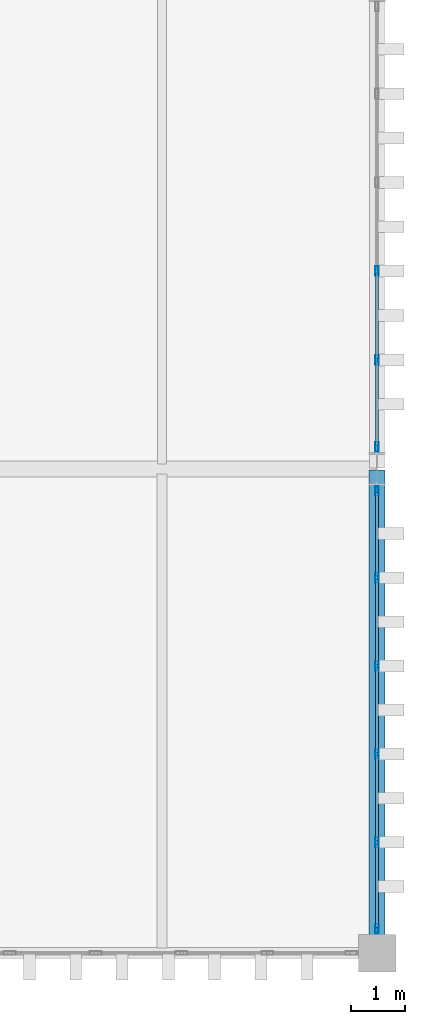
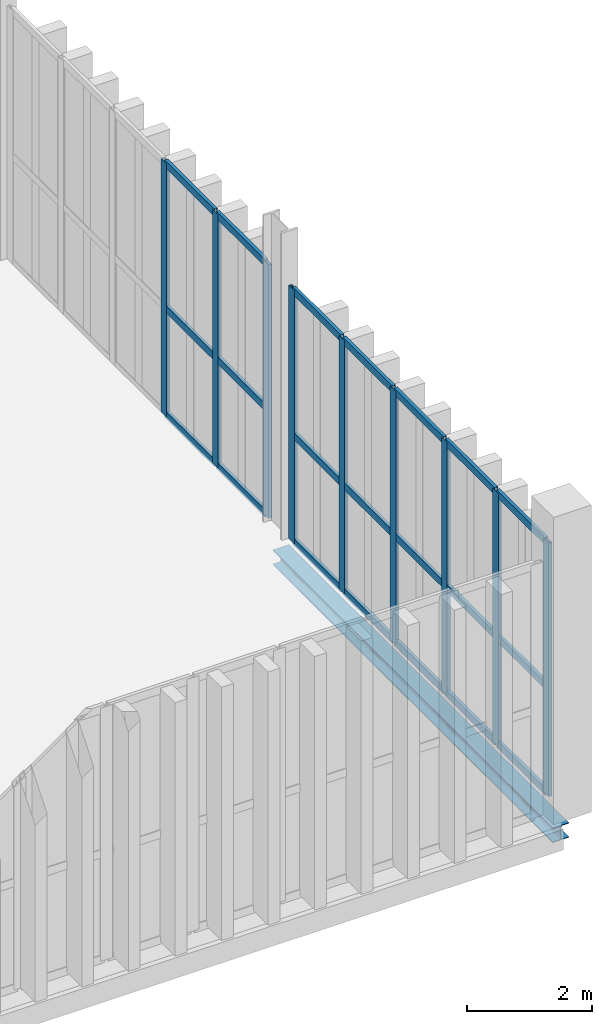
# One storey, part 101 of 211: 30 members, 1 beam, 2 elements without a shape of their own.
"""IFC4 building model written with IfcOpenShell, lengths in metres."""

from ifc_helpers import new_model, si_unit, direction, frame, origin, origin_2d, place, context, subcontext, project, spatial, hollow_rectangle, i_section, extrude, material, layer, layer_set, material_profile, profile_set, type_object, element, aggregate, save


model = new_model("IFC4")

# Units and contexts
model_context = context("Model", 3, precision=1e-05, world=origin(), true_north=direction((0.0, 1.0)))
body_context = subcontext(model_context, "Body", "Model", "MODEL_VIEW")
ifc_project = project(units=[si_unit("LENGTHUNIT", "METRE"), si_unit("AREAUNIT", "SQUARE_METRE"), si_unit("VOLUMEUNIT", "CUBIC_METRE"), si_unit("PLANEANGLEUNIT", "RADIAN"), si_unit("MASSUNIT", "GRAM", prefix="KILO")], contexts=[model_context])

# Site, building, storey
site_placement = place(None, origin())
site = spatial("IfcSite", under=ifc_project, at=site_placement, CompositionType="ELEMENT")
building_placement = place(site_placement, origin())
building = spatial("IfcBuilding", under=site, at=building_placement, Name="Barlavento Convention Centre", CompositionType="ELEMENT")
storey_placement = place(building_placement, frame((0.0, 0.0, 6.0)))
storey = spatial("IfcBuildingStorey", under=building, at=storey_placement, Name="L01", CompositionType="ELEMENT", Elevation=6.0)

# Curtain wall, members
ifc_material_1 = material(Name="Powder-coated aluminium and Low-E glass", Category="aluminium")
ifc_layer = layer(ifc_material_1, 0.195068359375)
ifc_layer_set = layer_set([ifc_layer], Name="ARC-CW-FOY-L01")
curtain_wall_type = type_object("IfcCurtainWallType", Name="ARC-CW-FOY-L01", PredefinedType="NOTDEFINED", material=ifc_layer_set)
curtain_wall_1_placement = place(storey_placement, origin())
curtain_wall_1 = element("IfcCurtainWall", 1, at=curtain_wall_1_placement, inside=storey, type_object=curtain_wall_type, Name="L01 unitised curtain wall CW03", PredefinedType="NOTDEFINED")
ifc_material_2 = material(Name="Powder-coated aluminium", Category="aluminium")
ifc_material_profile_1 = material_profile(ifc_material_2, hollow_rectangle(XDim=0.06005859375, YDim=0.179931640625, WallThickness=0.0048828125, at=origin_2d()), Name="AL-MULL 60x180x5")
ifc_profile_set_1 = profile_set([ifc_material_profile_1], Name="Powder-coated aluminium")
member_type_1 = type_object("IfcMemberType", Name="ARC-CWM-60X180", PredefinedType="MULLION", material=ifc_profile_set_1)
member_1_placement = place(storey_placement, frame((192.0, 0.449951171875, 0.0), z_axis=(0.0, 0.0, 1.0), x_axis=(-1.0, 0.0, 0.0)))
member_1 = element("IfcMember", 2, at=member_1_placement, type_object=member_type_1, Name="CW03 mullion 1", PredefinedType="MULLION", context=body_context, shape_type="SweptSolid", body=[
    extrude(hollow_rectangle(XDim=0.06005859375, YDim=0.179931640625, WallThickness=0.0048828125, at=origin_2d()), origin(), (0.0, 0.0, 1.0), 4.949951171875),
])
member_2_placement = place(storey_placement, frame((192.0, 2.06005859375, 0.0), z_axis=(0.0, 0.0, 1.0), x_axis=(-1.0, 0.0, 0.0)))
member_2 = element("IfcMember", 3, at=member_2_placement, type_object=member_type_1, Name="CW03 mullion 2", PredefinedType="MULLION", context=body_context, shape_type="SweptSolid", body=[
    extrude(hollow_rectangle(XDim=0.06005859375, YDim=0.179931640625, WallThickness=0.0048828125, at=origin_2d()), origin(), (0.0, 0.0, 1.0), 4.949951171875),
])
member_3_placement = place(storey_placement, frame((192.0, 3.699951171875, 0.0), z_axis=(0.0, 0.0, 1.0), x_axis=(-1.0, 0.0, 0.0)))
member_3 = element("IfcMember", 4, at=member_3_placement, type_object=member_type_1, Name="CW03 mullion 3", PredefinedType="MULLION", context=body_context, shape_type="SweptSolid", body=[
    extrude(hollow_rectangle(XDim=0.06005859375, YDim=0.179931640625, WallThickness=0.0048828125, at=origin_2d()), origin(), (0.0, 0.0, 1.0), 4.949951171875),
])
member_4_placement = place(storey_placement, frame((192.0, 5.340087890625, 0.0), z_axis=(0.0, 0.0, 1.0), x_axis=(-1.0, 0.0, 0.0)))
member_4 = element("IfcMember", 5, at=member_4_placement, type_object=member_type_1, Name="CW03 mullion 4", PredefinedType="MULLION", context=body_context, shape_type="SweptSolid", body=[
    extrude(hollow_rectangle(XDim=0.06005859375, YDim=0.179931640625, WallThickness=0.0048828125, at=origin_2d()), origin(), (0.0, 0.0, 1.0), 4.949951171875),
])
member_5_placement = place(storey_placement, frame((192.0, 6.97998046875, 0.0), z_axis=(0.0, 0.0, 1.0), x_axis=(-1.0, 0.0, 0.0)))
member_5 = element("IfcMember", 6, at=member_5_placement, type_object=member_type_1, Name="CW03 mullion 5", PredefinedType="MULLION", context=body_context, shape_type="SweptSolid", body=[
    extrude(hollow_rectangle(XDim=0.06005859375, YDim=0.179931640625, WallThickness=0.0048828125, at=origin_2d()), origin(), (0.0, 0.0, 1.0), 4.949951171875),
])
member_6_placement = place(storey_placement, frame((192.0, 8.590087890625, 0.0), z_axis=(0.0, 0.0, 1.0), x_axis=(-1.0, 0.0, 0.0)))
member_6 = element("IfcMember", 7, at=member_6_placement, type_object=member_type_1, Name="CW03 mullion 6", PredefinedType="MULLION", context=body_context, shape_type="SweptSolid", body=[
    extrude(hollow_rectangle(XDim=0.06005859375, YDim=0.179931640625, WallThickness=0.0048828125, at=origin_2d()), origin(), (0.0, 0.0, 1.0), 4.949951171875),
])

curtain_wall_2_placement = place(storey_placement, origin())
curtain_wall_2 = element("IfcCurtainWall", 8, at=curtain_wall_2_placement, inside=storey, type_object=curtain_wall_type, Name="L01 unitised curtain wall CW03", PredefinedType="NOTDEFINED")
member_7_placement = place(storey_placement, frame((192.0, 9.409912109375, 0.0), z_axis=(0.0, 0.0, 1.0), x_axis=(-1.0, 0.0, 0.0)))
member_7 = element("IfcMember", 9, at=member_7_placement, type_object=member_type_1, Name="CW03 mullion 1", PredefinedType="MULLION", context=body_context, shape_type="SweptSolid", body=[
    extrude(hollow_rectangle(XDim=0.06005859375, YDim=0.179931640625, WallThickness=0.0048828125, at=origin_2d()), origin(), (0.0, 0.0, 1.0), 4.949951171875),
])
member_8_placement = place(storey_placement, frame((192.0, 11.030029296875, 0.0), z_axis=(0.0, 0.0, 1.0), x_axis=(-1.0, 0.0, 0.0)))
member_8 = element("IfcMember", 10, at=member_8_placement, type_object=member_type_1, Name="CW03 mullion 2", PredefinedType="MULLION", context=body_context, shape_type="SweptSolid", body=[
    extrude(hollow_rectangle(XDim=0.06005859375, YDim=0.179931640625, WallThickness=0.0048828125, at=origin_2d()), origin(), (0.0, 0.0, 1.0), 4.949951171875),
])
member_9_placement = place(storey_placement, frame((192.0, 12.679931640625, 0.0), z_axis=(0.0, 0.0, 1.0), x_axis=(-1.0, 0.0, 0.0)))
member_9 = element("IfcMember", 11, at=member_9_placement, type_object=member_type_1, Name="CW03 mullion 3", PredefinedType="MULLION", context=body_context, shape_type="SweptSolid", body=[
    extrude(hollow_rectangle(XDim=0.06005859375, YDim=0.179931640625, WallThickness=0.0048828125, at=origin_2d()), origin(), (0.0, 0.0, 1.0), 4.949951171875),
])

# Member
ifc_material_profile_2 = material_profile(ifc_material_2, hollow_rectangle(XDim=0.06005859375, YDim=0.139892578125, WallThickness=0.00390625, at=origin_2d()), Name="AL-TRAN 60x140x4")
ifc_profile_set_2 = profile_set([ifc_material_profile_2], Name="Powder-coated aluminium")
member_type_2 = type_object("IfcMemberType", Name="ARC-CWT-60X140", PredefinedType="USERDEFINED", material=ifc_profile_set_2)
member_10_placement = place(storey_placement, frame((192.0, 0.47998046875, 0.030029296875), z_axis=(0.0, 1.0, 0.0), x_axis=(-1.0, 0.0, 0.0)))
member_10 = element("IfcMember", 12, at=member_10_placement, type_object=member_type_2, Name="CW03 transom 1.1", ObjectType="TRANSOM", PredefinedType="USERDEFINED", context=body_context, shape_type="SweptSolid", body=[
    extrude(hollow_rectangle(XDim=0.06005859375, YDim=0.139892578125, WallThickness=0.00390625, at=origin_2d()), origin(), (0.0, 0.0, 1.0), 1.550048828125),
])

member_11_placement = place(storey_placement, frame((192.0, 0.47998046875, 2.10009765625), z_axis=(0.0, 1.0, 0.0), x_axis=(-1.0, 0.0, 0.0)))
member_11 = element("IfcMember", 13, at=member_11_placement, type_object=member_type_2, Name="CW03 transom 1.2", ObjectType="TRANSOM", PredefinedType="USERDEFINED", context=body_context, shape_type="SweptSolid", body=[
    extrude(hollow_rectangle(XDim=0.06005859375, YDim=0.139892578125, WallThickness=0.00390625, at=origin_2d()), origin(), (0.0, 0.0, 1.0), 1.550048828125),
])

member_12_placement = place(storey_placement, frame((192.0, 0.47998046875, 4.919921875), z_axis=(0.0, 1.0, 0.0), x_axis=(-1.0, 0.0, 0.0)))
member_12 = element("IfcMember", 14, at=member_12_placement, type_object=member_type_2, Name="CW03 transom 1.3", ObjectType="TRANSOM", PredefinedType="USERDEFINED", context=body_context, shape_type="SweptSolid", body=[
    extrude(hollow_rectangle(XDim=0.06005859375, YDim=0.139892578125, WallThickness=0.00390625, at=origin_2d()), origin(), (0.0, 0.0, 1.0), 1.550048828125),
])

member_13_placement = place(storey_placement, frame((192.0, 2.090087890625, 0.030029296875), z_axis=(0.0, 1.0, 0.0), x_axis=(-1.0, 0.0, 0.0)))
member_13 = element("IfcMember", 15, at=member_13_placement, type_object=member_type_2, Name="CW03 transom 2.1", ObjectType="TRANSOM", PredefinedType="USERDEFINED", context=body_context, shape_type="SweptSolid", body=[
    extrude(hollow_rectangle(XDim=0.06005859375, YDim=0.139892578125, WallThickness=0.00390625, at=origin_2d()), origin(), (0.0, 0.0, 1.0), 1.579833984375),
])

member_14_placement = place(storey_placement, frame((192.0, 2.090087890625, 2.10009765625), z_axis=(0.0, 1.0, 0.0), x_axis=(-1.0, 0.0, 0.0)))
member_14 = element("IfcMember", 16, at=member_14_placement, type_object=member_type_2, Name="CW03 transom 2.2", ObjectType="TRANSOM", PredefinedType="USERDEFINED", context=body_context, shape_type="SweptSolid", body=[
    extrude(hollow_rectangle(XDim=0.06005859375, YDim=0.139892578125, WallThickness=0.00390625, at=origin_2d()), origin(), (0.0, 0.0, 1.0), 1.579833984375),
])

member_15_placement = place(storey_placement, frame((192.0, 2.090087890625, 4.919921875), z_axis=(0.0, 1.0, 0.0), x_axis=(-1.0, 0.0, 0.0)))
member_15 = element("IfcMember", 17, at=member_15_placement, type_object=member_type_2, Name="CW03 transom 2.3", ObjectType="TRANSOM", PredefinedType="USERDEFINED", context=body_context, shape_type="SweptSolid", body=[
    extrude(hollow_rectangle(XDim=0.06005859375, YDim=0.139892578125, WallThickness=0.00390625, at=origin_2d()), origin(), (0.0, 0.0, 1.0), 1.579833984375),
])

member_16_placement = place(storey_placement, frame((192.0, 3.72998046875, 0.030029296875), z_axis=(0.0, 1.0, 0.0), x_axis=(-1.0, 0.0, 0.0)))
member_16 = element("IfcMember", 18, at=member_16_placement, type_object=member_type_2, Name="CW03 transom 3.1", ObjectType="TRANSOM", PredefinedType="USERDEFINED", context=body_context, shape_type="SweptSolid", body=[
    extrude(hollow_rectangle(XDim=0.06005859375, YDim=0.139892578125, WallThickness=0.00390625, at=origin_2d()), origin(), (0.0, 0.0, 1.0), 1.580078125),
])

member_17_placement = place(storey_placement, frame((192.0, 3.72998046875, 2.10009765625), z_axis=(0.0, 1.0, 0.0), x_axis=(-1.0, 0.0, 0.0)))
member_17 = element("IfcMember", 19, at=member_17_placement, type_object=member_type_2, Name="CW03 transom 3.2", ObjectType="TRANSOM", PredefinedType="USERDEFINED", context=body_context, shape_type="SweptSolid", body=[
    extrude(hollow_rectangle(XDim=0.06005859375, YDim=0.139892578125, WallThickness=0.00390625, at=origin_2d()), origin(), (0.0, 0.0, 1.0), 1.580078125),
])

member_18_placement = place(storey_placement, frame((192.0, 3.72998046875, 4.919921875), z_axis=(0.0, 1.0, 0.0), x_axis=(-1.0, 0.0, 0.0)))
member_18 = element("IfcMember", 20, at=member_18_placement, type_object=member_type_2, Name="CW03 transom 3.3", ObjectType="TRANSOM", PredefinedType="USERDEFINED", context=body_context, shape_type="SweptSolid", body=[
    extrude(hollow_rectangle(XDim=0.06005859375, YDim=0.139892578125, WallThickness=0.00390625, at=origin_2d()), origin(), (0.0, 0.0, 1.0), 1.580078125),
])

member_19_placement = place(storey_placement, frame((192.0, 5.3701171875, 0.030029296875), z_axis=(0.0, 1.0, 0.0), x_axis=(-1.0, 0.0, 0.0)))
member_19 = element("IfcMember", 21, at=member_19_placement, type_object=member_type_2, Name="CW03 transom 4.1", ObjectType="TRANSOM", PredefinedType="USERDEFINED", context=body_context, shape_type="SweptSolid", body=[
    extrude(hollow_rectangle(XDim=0.06005859375, YDim=0.139892578125, WallThickness=0.00390625, at=origin_2d()), origin(), (0.0, 0.0, 1.0), 1.579833984375),
])

member_20_placement = place(storey_placement, frame((192.0, 5.3701171875, 2.10009765625), z_axis=(0.0, 1.0, 0.0), x_axis=(-1.0, 0.0, 0.0)))
member_20 = element("IfcMember", 22, at=member_20_placement, type_object=member_type_2, Name="CW03 transom 4.2", ObjectType="TRANSOM", PredefinedType="USERDEFINED", context=body_context, shape_type="SweptSolid", body=[
    extrude(hollow_rectangle(XDim=0.06005859375, YDim=0.139892578125, WallThickness=0.00390625, at=origin_2d()), origin(), (0.0, 0.0, 1.0), 1.579833984375),
])

member_21_placement = place(storey_placement, frame((192.0, 5.3701171875, 4.919921875), z_axis=(0.0, 1.0, 0.0), x_axis=(-1.0, 0.0, 0.0)))
member_21 = element("IfcMember", 23, at=member_21_placement, type_object=member_type_2, Name="CW03 transom 4.3", ObjectType="TRANSOM", PredefinedType="USERDEFINED", context=body_context, shape_type="SweptSolid", body=[
    extrude(hollow_rectangle(XDim=0.06005859375, YDim=0.139892578125, WallThickness=0.00390625, at=origin_2d()), origin(), (0.0, 0.0, 1.0), 1.579833984375),
])

member_22_placement = place(storey_placement, frame((192.0, 7.010009765625, 0.030029296875), z_axis=(0.0, 1.0, 0.0), x_axis=(-1.0, 0.0, 0.0)))
member_22 = element("IfcMember", 24, at=member_22_placement, type_object=member_type_2, Name="CW03 transom 5.1", ObjectType="TRANSOM", PredefinedType="USERDEFINED", context=body_context, shape_type="SweptSolid", body=[
    extrude(hollow_rectangle(XDim=0.06005859375, YDim=0.139892578125, WallThickness=0.00390625, at=origin_2d()), origin(), (0.0, 0.0, 1.0), 1.550048828125),
])

member_23_placement = place(storey_placement, frame((192.0, 7.010009765625, 2.10009765625), z_axis=(0.0, 1.0, 0.0), x_axis=(-1.0, 0.0, 0.0)))
member_23 = element("IfcMember", 25, at=member_23_placement, type_object=member_type_2, Name="CW03 transom 5.2", ObjectType="TRANSOM", PredefinedType="USERDEFINED", context=body_context, shape_type="SweptSolid", body=[
    extrude(hollow_rectangle(XDim=0.06005859375, YDim=0.139892578125, WallThickness=0.00390625, at=origin_2d()), origin(), (0.0, 0.0, 1.0), 1.550048828125),
])

member_24_placement = place(storey_placement, frame((192.0, 7.010009765625, 4.919921875), z_axis=(0.0, 1.0, 0.0), x_axis=(-1.0, 0.0, 0.0)))
member_24 = element("IfcMember", 26, at=member_24_placement, type_object=member_type_2, Name="CW03 transom 5.3", ObjectType="TRANSOM", PredefinedType="USERDEFINED", context=body_context, shape_type="SweptSolid", body=[
    extrude(hollow_rectangle(XDim=0.06005859375, YDim=0.139892578125, WallThickness=0.00390625, at=origin_2d()), origin(), (0.0, 0.0, 1.0), 1.550048828125),
])

aggregate(curtain_wall_1, [member_1, member_2, member_3, member_4, member_5, member_6, member_10, member_11, member_12, member_13, member_14, member_15, member_16, member_17, member_18, member_19, member_20, member_21, member_22, member_23, member_24])

member_25_placement = place(storey_placement, frame((192.0, 9.43994140625, 0.030029296875), z_axis=(0.0, 1.0, 0.0), x_axis=(-1.0, 0.0, 0.0)))
member_25 = element("IfcMember", 27, at=member_25_placement, type_object=member_type_2, Name="CW03 transom 1.1", ObjectType="TRANSOM", PredefinedType="USERDEFINED", context=body_context, shape_type="SweptSolid", body=[
    extrude(hollow_rectangle(XDim=0.06005859375, YDim=0.139892578125, WallThickness=0.00390625, at=origin_2d()), origin(), (0.0, 0.0, 1.0), 1.56005859375),
])

member_26_placement = place(storey_placement, frame((192.0, 9.43994140625, 2.10009765625), z_axis=(0.0, 1.0, 0.0), x_axis=(-1.0, 0.0, 0.0)))
member_26 = element("IfcMember", 28, at=member_26_placement, type_object=member_type_2, Name="CW03 transom 1.2", ObjectType="TRANSOM", PredefinedType="USERDEFINED", context=body_context, shape_type="SweptSolid", body=[
    extrude(hollow_rectangle(XDim=0.06005859375, YDim=0.139892578125, WallThickness=0.00390625, at=origin_2d()), origin(), (0.0, 0.0, 1.0), 1.56005859375),
])

member_27_placement = place(storey_placement, frame((192.0, 9.43994140625, 4.919921875), z_axis=(0.0, 1.0, 0.0), x_axis=(-1.0, 0.0, 0.0)))
member_27 = element("IfcMember", 29, at=member_27_placement, type_object=member_type_2, Name="CW03 transom 1.3", ObjectType="TRANSOM", PredefinedType="USERDEFINED", context=body_context, shape_type="SweptSolid", body=[
    extrude(hollow_rectangle(XDim=0.06005859375, YDim=0.139892578125, WallThickness=0.00390625, at=origin_2d()), origin(), (0.0, 0.0, 1.0), 1.56005859375),
])

member_28_placement = place(storey_placement, frame((192.0, 11.06005859375, 0.030029296875), z_axis=(0.0, 1.0, 0.0), x_axis=(-1.0, 0.0, 0.0)))
member_28 = element("IfcMember", 30, at=member_28_placement, type_object=member_type_2, Name="CW03 transom 2.1", ObjectType="TRANSOM", PredefinedType="USERDEFINED", context=body_context, shape_type="SweptSolid", body=[
    extrude(hollow_rectangle(XDim=0.06005859375, YDim=0.139892578125, WallThickness=0.00390625, at=origin_2d()), origin(), (0.0, 0.0, 1.0), 1.58984375),
])

member_29_placement = place(storey_placement, frame((192.0, 11.06005859375, 2.10009765625), z_axis=(0.0, 1.0, 0.0), x_axis=(-1.0, 0.0, 0.0)))
member_29 = element("IfcMember", 31, at=member_29_placement, type_object=member_type_2, Name="CW03 transom 2.2", ObjectType="TRANSOM", PredefinedType="USERDEFINED", context=body_context, shape_type="SweptSolid", body=[
    extrude(hollow_rectangle(XDim=0.06005859375, YDim=0.139892578125, WallThickness=0.00390625, at=origin_2d()), origin(), (0.0, 0.0, 1.0), 1.58984375),
])

member_30_placement = place(storey_placement, frame((192.0, 11.06005859375, 4.919921875), z_axis=(0.0, 1.0, 0.0), x_axis=(-1.0, 0.0, 0.0)))
member_30 = element("IfcMember", 32, at=member_30_placement, type_object=member_type_2, Name="CW03 transom 2.3", ObjectType="TRANSOM", PredefinedType="USERDEFINED", context=body_context, shape_type="SweptSolid", body=[
    extrude(hollow_rectangle(XDim=0.06005859375, YDim=0.139892578125, WallThickness=0.00390625, at=origin_2d()), origin(), (0.0, 0.0, 1.0), 1.58984375),
])

aggregate(curtain_wall_2, [member_7, member_8, member_9, member_25, member_26, member_27, member_28, member_29, member_30])

# Beam
ifc_material_3 = material(Name="Steel S355", Category="steel")
ifc_material_profile_3 = material_profile(ifc_material_3, i_section(OverallWidth=0.300048828125, OverallDepth=0.2900390625, WebThickness=0.008544921875, FlangeThickness=0.013916015625, FilletRadius=0.027099609375, at=origin_2d()), Name="HEA 300")
ifc_profile_set_3 = profile_set([ifc_material_profile_3], Name="Steel S355")
beam_type = type_object("IfcBeamType", Name="STR-BM-SPN-HEA300", PredefinedType="SPANDREL", material=ifc_profile_set_3)
beam_placement = place(storey_placement, frame((192.0, 0.02001953125, -0.5048828125), z_axis=(0.0, 1.0, 0.0), x_axis=(-1.0, 0.0, 0.0)))
element("IfcBeam", 33, at=beam_placement, inside=storey, type_object=beam_type, Name="L01 grid girder SP02", PredefinedType="SPANDREL", context=body_context, shape_type="SweptSolid", body=[
    extrude(i_section(OverallWidth=0.300048828125, OverallDepth=0.2900390625, WebThickness=0.008544921875, FlangeThickness=0.013916015625, FilletRadius=0.027099609375, at=origin_2d()), origin(), (0.0, 0.0, 1.0), 8.9599609375),
])

save(model, "model.ifc")
